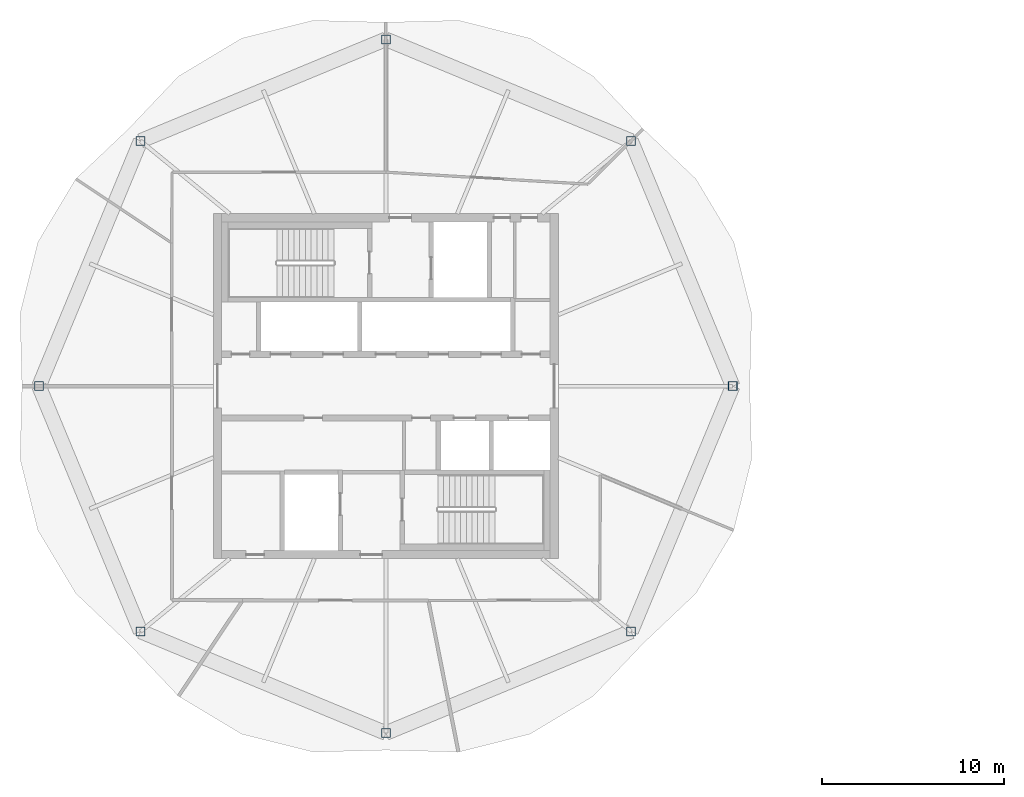
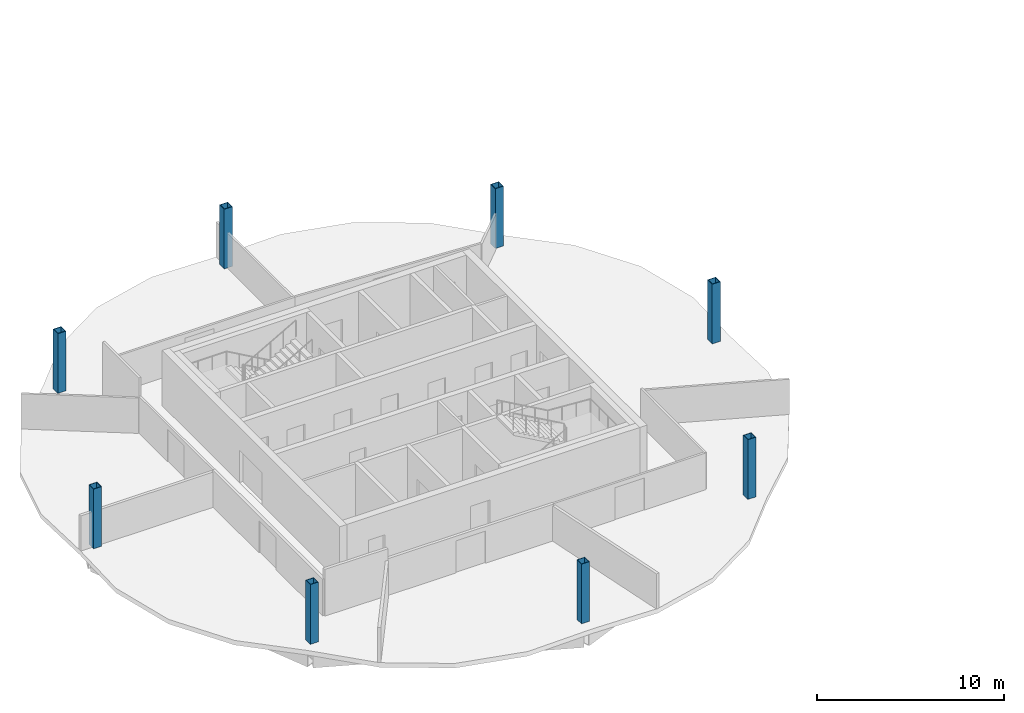
# One storey, part 1 of 10: 8 columns.
"""IFC4 building model written with IfcOpenShell, lengths in metres."""

from ifc_helpers import new_model, si_unit, direction, frame, origin, origin_2d, place, context, subcontext, project, spatial, hollow_rectangle, extrude, material, material_profile, profile_set, type_object, element, save


model = new_model("IFC4")

# Units and contexts
model_context = context("Model", 3, precision=1e-05, world=origin(), true_north=direction((0.0, 1.0)))
body_context = subcontext(model_context, "Body", "Model", "MODEL_VIEW")
ifc_project = project(units=[si_unit("LENGTHUNIT", "METRE"), si_unit("AREAUNIT", "SQUARE_METRE"), si_unit("VOLUMEUNIT", "CUBIC_METRE"), si_unit("PLANEANGLEUNIT", "RADIAN"), si_unit("MASSUNIT", "GRAM", prefix="KILO")], contexts=[model_context])

# Site, building, storey
site_placement = place(None, origin())
site = spatial("IfcSite", under=ifc_project, at=site_placement, CompositionType="ELEMENT")
building_placement = place(site_placement, origin())
building = spatial("IfcBuilding", under=site, at=building_placement, Name="Ogive Gate Towers", CompositionType="ELEMENT")
storey_placement = place(building_placement, frame((0.0, 0.0, 232.800048828125)))
storey = spatial("IfcBuildingStorey", under=building, at=storey_placement, Name="L55", CompositionType="ELEMENT", Elevation=232.800048828125)

# Columns
ifc_material = material(Name="Steel SM460", Category="steel")
ifc_material_profile = material_profile(ifc_material, hollow_rectangle(XDim=0.5, YDim=0.5, WallThickness=0.030029296875, at=origin_2d()), Name="BX 500x500x30")
ifc_profile_set = profile_set([ifc_material_profile], Name="Steel SM460")
column_type = type_object("IfcColumnType", Name="Perimeter post BX 500x500x30", PredefinedType="COLUMN", material=ifc_profile_set)
for number, where, z_axis, x_axis, name in (
    (1, (-16.889892578125, 0.0, 0.0), (0.0, 0.0, 1.0), (1.0, 0.0, 0.0), "T1/L55/SCL001"),
    (2, (-22.4873046875, 13.5126953125, 0.0), (0.0, 0.0, 1.0), (1.0, 0.0, 0.0), "T1/L55/SCL002"),
    (3, (-36.0, 19.110107421875, 0.0), (0.0, 0.0, 1.0), (1.0, 0.0, 0.0), "T1/L55/SCL003"),
    (4, (-49.5126953125, 13.5126953125, 0.0), (0.0, 0.0, 1.0), (1.0, 0.0, 0.0), "T1/L55/SCL004"),
    (5, (-55.110107421875, 0.0, 0.0), (0.0, 0.0, 1.0), (1.0, 0.0, 0.0), "T1/L55/SCL005"),
    (6, (-49.5126953125, -13.5126953125, 0.0), (0.0, 0.0, 1.0), (1.0, 0.0, 0.0), "T1/L55/SCL006"),
    (7, (-36.0, -19.110107421875, 0.0), (0.0, 0.0, 1.0), (1.0, 0.0, 0.0), "T1/L55/SCL007"),
    (8, (-22.4873046875, -13.5126953125, 0.0), (0.0, 0.0, 1.0), (1.0, 0.0, 0.0), "T1/L55/SCL008"),
):
    element("IfcColumn", number, at=place(storey_placement, frame(where, z_axis=z_axis, x_axis=x_axis)), inside=storey, type_object=column_type, Name=name, PredefinedType="COLUMN", context=body_context, shape_type="SweptSolid", body=[
        extrude(hollow_rectangle(XDim=0.5, YDim=0.5, WallThickness=0.030029296875, at=origin_2d()), origin(), (0.0, 0.0, 1.0), 3.89990234375),
    ])

save(model, "model.ifc")
